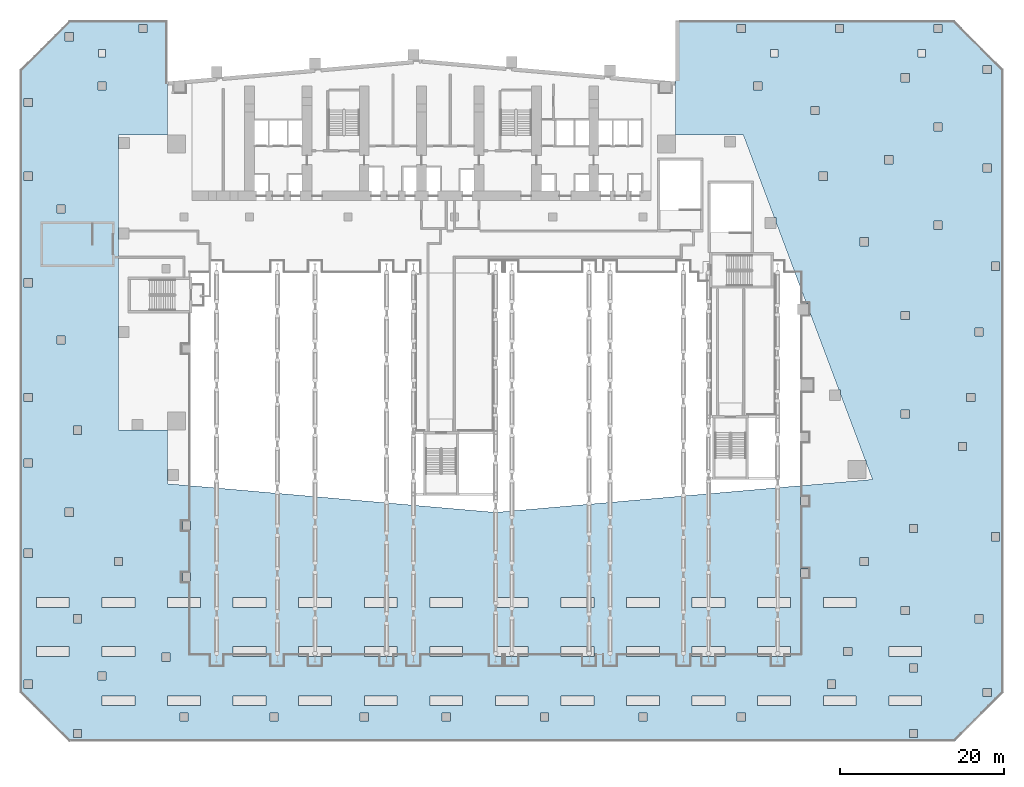
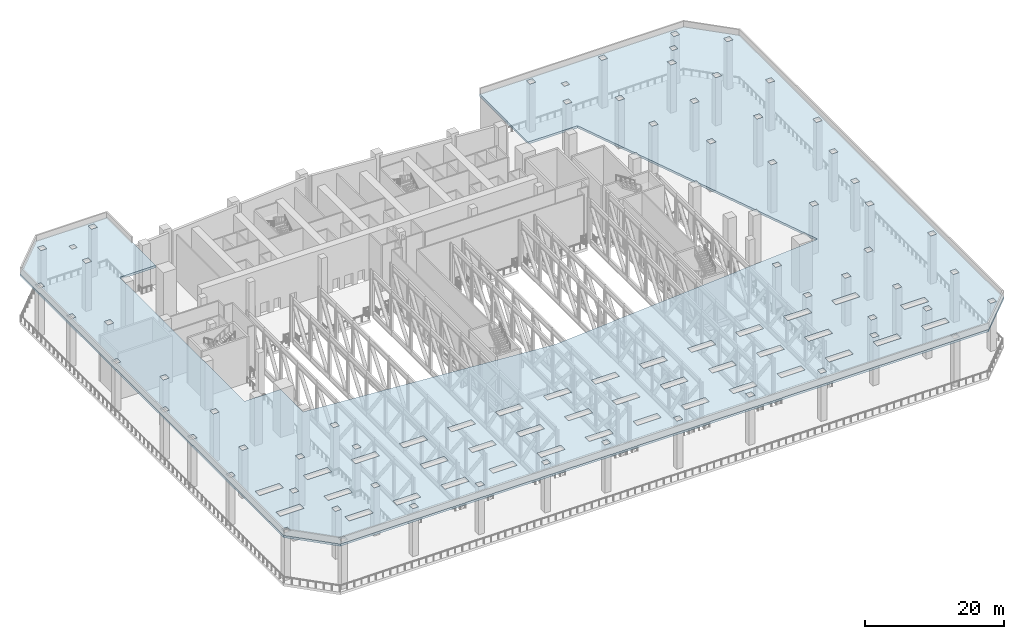
# One storey, part 8 of 33: 1 slab, 41 openings.
"""IFC4 building model written with IfcOpenShell, lengths in metres."""

from ifc_helpers import new_model, si_unit, direction, frame, origin, origin_2d, place, context, subcontext, project, spatial, polyline, rectangle, outline, extrude, material, layer, layer_set, type_object, element, save


model = new_model("IFC4")

# Units and contexts
model_context = context("Model", 3, precision=1e-05, world=origin(), true_north=direction((0.0, 1.0)))
body_context = subcontext(model_context, "Body", "Model", "MODEL_VIEW")
ifc_project = project(units=[si_unit("LENGTHUNIT", "METRE"), si_unit("AREAUNIT", "SQUARE_METRE"), si_unit("VOLUMEUNIT", "CUBIC_METRE"), si_unit("PLANEANGLEUNIT", "RADIAN"), si_unit("MASSUNIT", "GRAM", prefix="KILO")], contexts=[model_context])

# Site, building, storey
site_placement = place(None, origin())
site = spatial("IfcSite", under=ifc_project, at=site_placement, CompositionType="ELEMENT")
building_placement = place(site_placement, origin())
building = spatial("IfcBuilding", under=site, at=building_placement, Name="Wharfspan Tower", CompositionType="ELEMENT")
storey_placement = place(building_placement, frame((0.0, 0.0, 33.0)))
storey = spatial("IfcBuildingStorey", under=building, at=storey_placement, Name="L05", CompositionType="ELEMENT", Elevation=33.0)

# Slab, openings
ifc_material = material(Name="Concrete C35/45", Category="concrete")
ifc_layer = layer(ifc_material, 0.399902)
ifc_layer_set = layer_set([ifc_layer], Name="Concrete C35/45")
slab_type = type_object("IfcSlabType", Name="Arena roof deck 300", PredefinedType="ROOF", material=ifc_layer_set)
slab_placement = place(storey_placement, frame((0.0, 0.0, 8.099854)))
slab = element("IfcSlab", 1, at=slab_placement, inside=storey, type_object=slab_type, Name="Arena and podium roof deck", PredefinedType="ROOF", context=body_context, shape_type="SweptSolid", body=[
    extrude(outline(polyline([(-12.0, 50.0), (-6.0, 56.0), (6.0, 56.0), (6.0, 48.524902), (12.0, 49.049805), (12.0, 49.049805), (6.0, 48.524902), (6.0, 42.0), (0.0, 42.0), (0.0, 30.659912), (0.0, 29.340088), (0.0, 18.659912), (0.0, 17.340088), (0.0, 6.0), (6.0, 6.0), (6.0, -0.524902), (46.0, -4.024414), (92.0, 0.0), (91.196533, 2.142578), (91.196533, 2.299805), (91.137695, 2.299805), (88.104492, 10.387939), (88.104492, 10.928223), (87.901855, 10.928223), (84.166992, 20.887939), (84.166992, 21.428223), (83.964355, 21.428223), (80.229492, 31.387939), (80.229492, 31.928223), (80.026855, 31.928223), (76.25, 42.0), (68.0, 42.0), (68.0, 48.524902), (60.0, 49.224854), (60.0, 49.224854), (68.0, 48.524902), (68.0, 56.0), (102.0, 56.0), (108.0, 50.0), (108.0, -26.0), (102.0, -32.0), (-6.0, -32.0), (-12.0, -26.0), (-12.0, 50.0)]), holes=[polyline([(-5.5, -31.5), (-4.5, -31.5), (-4.5, -30.5), (-5.5, -30.5), (-5.5, -31.5)]), polyline([(7.5, -29.5), (8.5, -29.5), (8.5, -28.5), (7.5, -28.5), (7.5, -29.5)]), polyline([(-11.5, -25.5), (-10.5, -25.5), (-10.5, -24.5), (-11.5, -24.5), (-11.5, -25.5)]), polyline([(-2.5, -23.5), (-2.5, -24.5), (-1.5, -24.5), (-1.5, -23.5), (-2.5, -23.5)]), polyline([(5.300049, -21.199951), (5.300049, -22.199951), (6.300049, -22.199951), (6.300049, -21.199951), (5.300049, -21.199951)]), polyline([(-5.5, -17.5), (-4.5, -17.5), (-4.5, -16.5), (-5.5, -16.5), (-5.5, -17.5)]), polyline([(-0.5, -9.5), (-0.5, -10.5), (0.5, -10.5), (0.5, -9.5), (-0.5, -9.5)]), polyline([(-11.5, -8.5), (-11.5, -9.5), (-10.5, -9.5), (-10.5, -8.5), (-11.5, -8.5)]), polyline([(-6.5, -4.5), (-5.5, -4.5), (-5.5, -3.5), (-6.5, -3.5), (-6.5, -4.5)]), polyline([(-11.5, 2.5), (-11.5, 1.5), (-10.5, 1.5), (-10.5, 2.5), (-11.5, 2.5)]), polyline([(-5.5, 5.5), (-4.5, 5.5), (-4.5, 6.5), (-5.5, 6.5), (-5.5, 5.5)]), polyline([(-11.5, 10.5), (-11.5, 9.5), (-10.5, 9.5), (-10.5, 10.5), (-11.5, 10.5)]), polyline([(-7.5, 17.5), (-7.5, 16.5), (-6.5, 16.5), (-6.5, 17.5), (-7.5, 17.5)]), polyline([(-11.5, 24.5), (-11.5, 23.5), (-10.5, 23.5), (-10.5, 24.5), (-11.5, 24.5)]), polyline([(-7.5, 33.5), (-7.5, 32.5), (-6.5, 32.5), (-6.5, 33.5), (-7.5, 33.5)]), polyline([(-11.5, 36.5), (-10.5, 36.5), (-10.5, 37.5), (-11.5, 37.5), (-11.5, 36.5)]), polyline([(-11.5, 46.5), (-11.5, 45.5), (-10.5, 45.5), (-10.5, 46.5), (-11.5, 46.5)]), polyline([(-2.5, 47.5), (-1.5, 47.5), (-1.5, 48.5), (-2.5, 48.5), (-2.5, 47.5)]), polyline([(-6.5, 54.5), (-6.5, 53.5), (-5.5, 53.5), (-5.5, 54.5), (-6.5, 54.5)]), polyline([(2.5, 55.5), (2.5, 54.5), (3.5, 54.5), (3.5, 55.5), (2.5, 55.5)]), polyline([(18.5, -29.5), (19.5, -29.5), (19.5, -28.5), (18.5, -28.5), (18.5, -29.5)]), polyline([(75.5, -28.5), (75.5, -29.5), (76.5, -29.5), (76.5, -28.5), (75.5, -28.5)]), polyline([(29.5, -28.5), (29.5, -29.5), (30.5, -29.5), (30.5, -28.5), (29.5, -28.5)]), polyline([(63.5, -29.5), (64.5, -29.5), (64.5, -28.5), (63.5, -28.5), (63.5, -29.5)]), polyline([(39.5, -29.5), (40.5, -29.5), (40.5, -28.5), (39.5, -28.5), (39.5, -29.5)]), polyline([(51.5, -29.5), (52.5, -29.5), (52.5, -28.5), (51.5, -28.5), (51.5, -29.5)]), polyline([(7.800049, -11.419922), (7.800049, -12.419922), (8.800049, -12.419922), (8.800049, -11.419922), (7.800049, -11.419922)]), polyline([(83.199951, -10.919922), (83.199951, -11.919922), (84.199951, -11.919922), (84.199951, -10.919922), (83.199951, -10.919922)]), polyline([(7.800049, -6.139893), (8.800049, -6.139893), (8.800049, -5.139893), (7.800049, -5.139893), (7.800049, -6.139893)]), polyline([(83.199951, -2.139893), (83.199951, -3.139893), (84.199951, -3.139893), (84.199951, -2.139893), (83.199951, -2.139893)]), polyline([(77.5, 48.5), (77.5, 47.5), (78.5, 47.5), (78.5, 48.5), (77.5, 48.5)]), polyline([(75.5, 55.5), (75.5, 54.5), (76.5, 54.5), (76.5, 55.5), (75.5, 55.5)]), polyline([(96.5, -31.5), (97.5, -31.5), (97.5, -30.5), (96.5, -30.5), (96.5, -31.5)]), polyline([(105.5, -25.5), (105.5, -26.5), (106.5, -26.5), (106.5, -25.5), (105.5, -25.5)]), polyline([(86.5, -24.5), (86.5, -25.5), (87.5, -25.5), (87.5, -24.5), (86.5, -24.5)]), polyline([(96.5, -23.5), (97.5, -23.5), (97.5, -22.5), (96.5, -22.5), (96.5, -23.5)]), polyline([(88.5, -20.5), (88.5, -21.5), (89.5, -21.5), (89.5, -20.5), (88.5, -20.5)]), polyline([(104.5, -16.5), (104.5, -17.5), (105.5, -17.5), (105.5, -16.5), (104.5, -16.5)]), polyline([(95.5, -16.5), (96.5, -16.5), (96.5, -15.5), (95.5, -15.5), (95.5, -16.5)]), polyline([(90.5, -10.5), (91.5, -10.5), (91.5, -9.5), (90.5, -9.5), (90.5, -10.5)]), polyline([(106.5, -7.5), (107.5, -7.5), (107.5, -6.5), (106.5, -6.5), (106.5, -7.5)]), polyline([(96.5, -5.5), (96.5, -6.5), (97.5, -6.5), (97.5, -5.5), (96.5, -5.5)]), polyline([(102.5, 3.5), (103.5, 3.5), (103.5, 4.5), (102.5, 4.5), (102.5, 3.5)]), polyline([(95.5, 8.5), (95.5, 7.5), (96.5, 7.5), (96.5, 8.5), (95.5, 8.5)]), polyline([(103.5, 10.5), (103.5, 9.5), (104.5, 9.5), (104.5, 10.5), (103.5, 10.5)]), polyline([(104.5, 18.5), (104.5, 17.5), (105.5, 17.5), (105.5, 18.5), (104.5, 18.5)]), polyline([(95.5, 20.5), (95.5, 19.5), (96.5, 19.5), (96.5, 20.5), (95.5, 20.5)]), polyline([(106.5, 25.5), (107.5, 25.5), (107.5, 26.5), (106.5, 26.5), (106.5, 25.5)]), polyline([(90.5, 29.5), (90.5, 28.5), (91.5, 28.5), (91.5, 29.5), (90.5, 29.5)]), polyline([(99.5, 31.5), (99.5, 30.5), (100.5, 30.5), (100.5, 31.5), (99.5, 31.5)]), polyline([(85.5, 36.5), (86.5, 36.5), (86.5, 37.5), (85.5, 37.5), (85.5, 36.5)]), polyline([(105.5, 38.5), (105.5, 37.5), (106.5, 37.5), (106.5, 38.5), (105.5, 38.5)]), polyline([(93.5, 39.5), (93.5, 38.5), (94.5, 38.5), (94.5, 39.5), (93.5, 39.5)]), polyline([(99.5, 42.5), (100.5, 42.5), (100.5, 43.5), (99.5, 43.5), (99.5, 42.5)]), polyline([(84.5, 45.5), (84.5, 44.5), (85.5, 44.5), (85.5, 45.5), (84.5, 45.5)]), polyline([(95.5, 49.5), (95.5, 48.5), (96.5, 48.5), (96.5, 49.5), (95.5, 49.5)]), polyline([(105.5, 49.5), (106.5, 49.5), (106.5, 50.5), (105.5, 50.5), (105.5, 49.5)]), polyline([(99.5, 55.5), (99.5, 54.5), (100.5, 54.5), (100.5, 55.5), (99.5, 55.5)]), polyline([(87.5, 55.5), (87.5, 54.5), (88.5, 54.5), (88.5, 55.5), (87.5, 55.5)])]), origin(), (0.0, 0.0, 1.0), 0.400146),
])
opening_1_placement = place(slab_placement, frame((0.0, -27.0, 0.0)))
element("IfcOpeningElement", 2, at=opening_1_placement, cuts=slab, Name="Opening SK1", PredefinedType="OPENING", context=body_context, shape_type="SweptSolid", body=[
    extrude(rectangle(XDim=4.0, YDim=1.199951, at=origin_2d()), frame((0.0, 0.0, -0.01001)), (0.0, 0.0, 1.0), 0.419922),
])
opening_2_placement = place(slab_placement, frame((8.0, -27.0, 0.0)))
element("IfcOpeningElement", 3, at=opening_2_placement, cuts=slab, Name="Opening SK1", PredefinedType="OPENING", context=body_context, shape_type="SweptSolid", body=[
    extrude(rectangle(XDim=4.0, YDim=1.199951, at=origin_2d()), frame((0.0, 0.0, -0.01001)), (0.0, 0.0, 1.0), 0.419922),
])
opening_3_placement = place(slab_placement, frame((16.0, -27.0, 0.0)))
element("IfcOpeningElement", 4, at=opening_3_placement, cuts=slab, Name="Opening SK1", PredefinedType="OPENING", context=body_context, shape_type="SweptSolid", body=[
    extrude(rectangle(XDim=4.0, YDim=1.199951, at=origin_2d()), frame((0.0, 0.0, -0.01001)), (0.0, 0.0, 1.0), 0.419922),
])
opening_4_placement = place(slab_placement, frame((24.0, -27.0, 0.0)))
element("IfcOpeningElement", 5, at=opening_4_placement, cuts=slab, Name="Opening SK1", PredefinedType="OPENING", context=body_context, shape_type="SweptSolid", body=[
    extrude(rectangle(XDim=4.0, YDim=1.199951, at=origin_2d()), frame((0.0, 0.0, -0.01001)), (0.0, 0.0, 1.0), 0.419922),
])
opening_5_placement = place(slab_placement, frame((32.0, -27.0, 0.0)))
element("IfcOpeningElement", 6, at=opening_5_placement, cuts=slab, Name="Opening SK1", PredefinedType="OPENING", context=body_context, shape_type="SweptSolid", body=[
    extrude(rectangle(XDim=4.0, YDim=1.199951, at=origin_2d()), frame((0.0, 0.0, -0.01001)), (0.0, 0.0, 1.0), 0.419922),
])
opening_6_placement = place(slab_placement, frame((40.0, -27.0, 0.0)))
element("IfcOpeningElement", 7, at=opening_6_placement, cuts=slab, Name="Opening SK1", PredefinedType="OPENING", context=body_context, shape_type="SweptSolid", body=[
    extrude(rectangle(XDim=4.0, YDim=1.199951, at=origin_2d()), frame((0.0, 0.0, -0.01001)), (0.0, 0.0, 1.0), 0.419922),
])
opening_7_placement = place(slab_placement, frame((48.0, -27.0, 0.0)))
element("IfcOpeningElement", 8, at=opening_7_placement, cuts=slab, Name="Opening SK1", PredefinedType="OPENING", context=body_context, shape_type="SweptSolid", body=[
    extrude(rectangle(XDim=4.0, YDim=1.199951, at=origin_2d()), frame((0.0, 0.0, -0.01001)), (0.0, 0.0, 1.0), 0.419922),
])
opening_8_placement = place(slab_placement, frame((56.0, -27.0, 0.0)))
element("IfcOpeningElement", 9, at=opening_8_placement, cuts=slab, Name="Opening SK1", PredefinedType="OPENING", context=body_context, shape_type="SweptSolid", body=[
    extrude(rectangle(XDim=4.0, YDim=1.199951, at=origin_2d()), frame((0.0, 0.0, -0.01001)), (0.0, 0.0, 1.0), 0.419922),
])
opening_9_placement = place(slab_placement, frame((64.0, -27.0, 0.0)))
element("IfcOpeningElement", 10, at=opening_9_placement, cuts=slab, Name="Opening SK1", PredefinedType="OPENING", context=body_context, shape_type="SweptSolid", body=[
    extrude(rectangle(XDim=4.0, YDim=1.199951, at=origin_2d()), frame((0.0, 0.0, -0.01001)), (0.0, 0.0, 1.0), 0.419922),
])
opening_10_placement = place(slab_placement, frame((72.0, -27.0, 0.0)))
element("IfcOpeningElement", 11, at=opening_10_placement, cuts=slab, Name="Opening SK1", PredefinedType="OPENING", context=body_context, shape_type="SweptSolid", body=[
    extrude(rectangle(XDim=4.0, YDim=1.199951, at=origin_2d()), frame((0.0, 0.0, -0.01001)), (0.0, 0.0, 1.0), 0.419922),
])
opening_11_placement = place(slab_placement, frame((80.0, -27.0, 0.0)))
element("IfcOpeningElement", 12, at=opening_11_placement, cuts=slab, Name="Opening SK1", PredefinedType="OPENING", context=body_context, shape_type="SweptSolid", body=[
    extrude(rectangle(XDim=4.0, YDim=1.199951, at=origin_2d()), frame((0.0, 0.0, -0.01001)), (0.0, 0.0, 1.0), 0.419922),
])
opening_12_placement = place(slab_placement, frame((88.0, -27.0, 0.0)))
element("IfcOpeningElement", 13, at=opening_12_placement, cuts=slab, Name="Opening SK1", PredefinedType="OPENING", context=body_context, shape_type="SweptSolid", body=[
    extrude(rectangle(XDim=4.0, YDim=1.199951, at=origin_2d()), frame((0.0, 0.0, -0.01001)), (0.0, 0.0, 1.0), 0.419922),
])
opening_13_placement = place(slab_placement, frame((96.0, -27.0, 0.0)))
element("IfcOpeningElement", 14, at=opening_13_placement, cuts=slab, Name="Opening SK1", PredefinedType="OPENING", context=body_context, shape_type="SweptSolid", body=[
    extrude(rectangle(XDim=4.0, YDim=1.199951, at=origin_2d()), frame((0.0, 0.0, -0.01001)), (0.0, 0.0, 1.0), 0.419922),
])
opening_14_placement = place(slab_placement, frame((-8.0, -21.0, 0.0)))
element("IfcOpeningElement", 15, at=opening_14_placement, cuts=slab, Name="Opening SK1", PredefinedType="OPENING", context=body_context, shape_type="SweptSolid", body=[
    extrude(rectangle(XDim=4.0, YDim=1.199951, at=origin_2d()), frame((0.0, 0.0, -0.01001)), (0.0, 0.0, 1.0), 0.419922),
])
opening_15_placement = place(slab_placement, frame((0.0, -21.0, 0.0)))
element("IfcOpeningElement", 16, at=opening_15_placement, cuts=slab, Name="Opening SK1", PredefinedType="OPENING", context=body_context, shape_type="SweptSolid", body=[
    extrude(rectangle(XDim=4.0, YDim=1.199951, at=origin_2d()), frame((0.0, 0.0, -0.01001)), (0.0, 0.0, 1.0), 0.419922),
])
opening_16_placement = place(slab_placement, frame((16.0, -21.0, 0.0)))
element("IfcOpeningElement", 17, at=opening_16_placement, cuts=slab, Name="Opening SK1", PredefinedType="OPENING", context=body_context, shape_type="SweptSolid", body=[
    extrude(rectangle(XDim=4.0, YDim=1.199951, at=origin_2d()), frame((0.0, 0.0, -0.01001)), (0.0, 0.0, 1.0), 0.419922),
])
opening_17_placement = place(slab_placement, frame((24.0, -21.0, 0.0)))
element("IfcOpeningElement", 18, at=opening_17_placement, cuts=slab, Name="Opening SK1", PredefinedType="OPENING", context=body_context, shape_type="SweptSolid", body=[
    extrude(rectangle(XDim=4.0, YDim=1.199951, at=origin_2d()), frame((0.0, 0.0, -0.01001)), (0.0, 0.0, 1.0), 0.419922),
])
opening_18_placement = place(slab_placement, frame((32.0, -21.0, 0.0)))
element("IfcOpeningElement", 19, at=opening_18_placement, cuts=slab, Name="Opening SK1", PredefinedType="OPENING", context=body_context, shape_type="SweptSolid", body=[
    extrude(rectangle(XDim=4.0, YDim=1.199951, at=origin_2d()), frame((0.0, 0.0, -0.01001)), (0.0, 0.0, 1.0), 0.419922),
])
opening_19_placement = place(slab_placement, frame((40.0, -21.0, 0.0)))
element("IfcOpeningElement", 20, at=opening_19_placement, cuts=slab, Name="Opening SK1", PredefinedType="OPENING", context=body_context, shape_type="SweptSolid", body=[
    extrude(rectangle(XDim=4.0, YDim=1.199951, at=origin_2d()), frame((0.0, 0.0, -0.01001)), (0.0, 0.0, 1.0), 0.419922),
])
opening_20_placement = place(slab_placement, frame((48.0, -21.0, 0.0)))
element("IfcOpeningElement", 21, at=opening_20_placement, cuts=slab, Name="Opening SK1", PredefinedType="OPENING", context=body_context, shape_type="SweptSolid", body=[
    extrude(rectangle(XDim=4.0, YDim=1.199951, at=origin_2d()), frame((0.0, 0.0, -0.01001)), (0.0, 0.0, 1.0), 0.419922),
])
opening_21_placement = place(slab_placement, frame((56.0, -21.0, 0.0)))
element("IfcOpeningElement", 22, at=opening_21_placement, cuts=slab, Name="Opening SK1", PredefinedType="OPENING", context=body_context, shape_type="SweptSolid", body=[
    extrude(rectangle(XDim=4.0, YDim=1.199951, at=origin_2d()), frame((0.0, 0.0, -0.01001)), (0.0, 0.0, 1.0), 0.419922),
])
opening_22_placement = place(slab_placement, frame((64.0, -21.0, 0.0)))
element("IfcOpeningElement", 23, at=opening_22_placement, cuts=slab, Name="Opening SK1", PredefinedType="OPENING", context=body_context, shape_type="SweptSolid", body=[
    extrude(rectangle(XDim=4.0, YDim=1.199951, at=origin_2d()), frame((0.0, 0.0, -0.01001)), (0.0, 0.0, 1.0), 0.419922),
])
opening_23_placement = place(slab_placement, frame((72.0, -21.0, 0.0)))
element("IfcOpeningElement", 24, at=opening_23_placement, cuts=slab, Name="Opening SK1", PredefinedType="OPENING", context=body_context, shape_type="SweptSolid", body=[
    extrude(rectangle(XDim=4.0, YDim=1.199951, at=origin_2d()), frame((0.0, 0.0, -0.01001)), (0.0, 0.0, 1.0), 0.419922),
])
opening_24_placement = place(slab_placement, frame((80.0, -21.0, 0.0)))
element("IfcOpeningElement", 25, at=opening_24_placement, cuts=slab, Name="Opening SK1", PredefinedType="OPENING", context=body_context, shape_type="SweptSolid", body=[
    extrude(rectangle(XDim=4.0, YDim=1.199951, at=origin_2d()), frame((0.0, 0.0, -0.01001)), (0.0, 0.0, 1.0), 0.419922),
])
opening_25_placement = place(slab_placement, frame((96.0, -21.0, 0.0)))
element("IfcOpeningElement", 26, at=opening_25_placement, cuts=slab, Name="Opening SK1", PredefinedType="OPENING", context=body_context, shape_type="SweptSolid", body=[
    extrude(rectangle(XDim=4.0, YDim=1.199951, at=origin_2d()), frame((0.0, 0.0, -0.01001)), (0.0, 0.0, 1.0), 0.419922),
])
opening_26_placement = place(slab_placement, frame((-8.0, -15.0, 0.0)))
element("IfcOpeningElement", 27, at=opening_26_placement, cuts=slab, Name="Opening SK1", PredefinedType="OPENING", context=body_context, shape_type="SweptSolid", body=[
    extrude(rectangle(XDim=4.0, YDim=1.199951, at=origin_2d()), frame((0.0, 0.0, -0.01001)), (0.0, 0.0, 1.0), 0.419922),
])
opening_27_placement = place(slab_placement, frame((0.0, -15.0, 0.0)))
element("IfcOpeningElement", 28, at=opening_27_placement, cuts=slab, Name="Opening SK1", PredefinedType="OPENING", context=body_context, shape_type="SweptSolid", body=[
    extrude(rectangle(XDim=4.0, YDim=1.199951, at=origin_2d()), frame((0.0, 0.0, -0.01001)), (0.0, 0.0, 1.0), 0.419922),
])
opening_28_placement = place(slab_placement, frame((8.0, -15.0, 0.0)))
element("IfcOpeningElement", 29, at=opening_28_placement, cuts=slab, Name="Opening SK1", PredefinedType="OPENING", context=body_context, shape_type="SweptSolid", body=[
    extrude(rectangle(XDim=4.0, YDim=1.199951, at=origin_2d()), frame((0.0, 0.0, -0.01001)), (0.0, 0.0, 1.0), 0.419922),
])
opening_29_placement = place(slab_placement, frame((16.0, -15.0, 0.0)))
element("IfcOpeningElement", 30, at=opening_29_placement, cuts=slab, Name="Opening SK1", PredefinedType="OPENING", context=body_context, shape_type="SweptSolid", body=[
    extrude(rectangle(XDim=4.0, YDim=1.199951, at=origin_2d()), frame((0.0, 0.0, -0.01001)), (0.0, 0.0, 1.0), 0.419922),
])
opening_30_placement = place(slab_placement, frame((24.0, -15.0, 0.0)))
element("IfcOpeningElement", 31, at=opening_30_placement, cuts=slab, Name="Opening SK1", PredefinedType="OPENING", context=body_context, shape_type="SweptSolid", body=[
    extrude(rectangle(XDim=4.0, YDim=1.199951, at=origin_2d()), frame((0.0, 0.0, -0.01001)), (0.0, 0.0, 1.0), 0.419922),
])
opening_31_placement = place(slab_placement, frame((32.0, -15.0, 0.0)))
element("IfcOpeningElement", 32, at=opening_31_placement, cuts=slab, Name="Opening SK1", PredefinedType="OPENING", context=body_context, shape_type="SweptSolid", body=[
    extrude(rectangle(XDim=4.0, YDim=1.199951, at=origin_2d()), frame((0.0, 0.0, -0.01001)), (0.0, 0.0, 1.0), 0.419922),
])
opening_32_placement = place(slab_placement, frame((40.0, -15.0, 0.0)))
element("IfcOpeningElement", 33, at=opening_32_placement, cuts=slab, Name="Opening SK1", PredefinedType="OPENING", context=body_context, shape_type="SweptSolid", body=[
    extrude(rectangle(XDim=4.0, YDim=1.199951, at=origin_2d()), frame((0.0, 0.0, -0.01001)), (0.0, 0.0, 1.0), 0.419922),
])
opening_33_placement = place(slab_placement, frame((48.0, -15.0, 0.0)))
element("IfcOpeningElement", 34, at=opening_33_placement, cuts=slab, Name="Opening SK1", PredefinedType="OPENING", context=body_context, shape_type="SweptSolid", body=[
    extrude(rectangle(XDim=4.0, YDim=1.199951, at=origin_2d()), frame((0.0, 0.0, -0.01001)), (0.0, 0.0, 1.0), 0.419922),
])
opening_34_placement = place(slab_placement, frame((56.0, -15.0, 0.0)))
element("IfcOpeningElement", 35, at=opening_34_placement, cuts=slab, Name="Opening SK1", PredefinedType="OPENING", context=body_context, shape_type="SweptSolid", body=[
    extrude(rectangle(XDim=4.0, YDim=1.199951, at=origin_2d()), frame((0.0, 0.0, -0.01001)), (0.0, 0.0, 1.0), 0.419922),
])
opening_35_placement = place(slab_placement, frame((64.0, -15.0, 0.0)))
element("IfcOpeningElement", 36, at=opening_35_placement, cuts=slab, Name="Opening SK1", PredefinedType="OPENING", context=body_context, shape_type="SweptSolid", body=[
    extrude(rectangle(XDim=4.0, YDim=1.199951, at=origin_2d()), frame((0.0, 0.0, -0.01001)), (0.0, 0.0, 1.0), 0.419922),
])
opening_36_placement = place(slab_placement, frame((72.0, -15.0, 0.0)))
element("IfcOpeningElement", 37, at=opening_36_placement, cuts=slab, Name="Opening SK1", PredefinedType="OPENING", context=body_context, shape_type="SweptSolid", body=[
    extrude(rectangle(XDim=4.0, YDim=1.199951, at=origin_2d()), frame((0.0, 0.0, -0.01001)), (0.0, 0.0, 1.0), 0.419922),
])
opening_37_placement = place(slab_placement, frame((80.0, -15.0, 0.0)))
element("IfcOpeningElement", 38, at=opening_37_placement, cuts=slab, Name="Opening SK1", PredefinedType="OPENING", context=body_context, shape_type="SweptSolid", body=[
    extrude(rectangle(XDim=4.0, YDim=1.199951, at=origin_2d()), frame((0.0, 0.0, -0.01001)), (0.0, 0.0, 1.0), 0.419922),
])
opening_38_placement = place(slab_placement, frame((88.0, -15.0, 0.0)))
element("IfcOpeningElement", 39, at=opening_38_placement, cuts=slab, Name="Opening SK1", PredefinedType="OPENING", context=body_context, shape_type="SweptSolid", body=[
    extrude(rectangle(XDim=4.0, YDim=1.199951, at=origin_2d()), frame((0.0, 0.0, -0.01001)), (0.0, 0.0, 1.0), 0.419922),
])
opening_39_placement = place(slab_placement, frame((-2.0, 52.0, 0.0)))
element("IfcOpeningElement", 40, at=opening_39_placement, cuts=slab, Name="Opening RH1", PredefinedType="OPENING", context=body_context, shape_type="SweptSolid", body=[
    extrude(rectangle(XDim=0.899902, YDim=0.899902, at=origin_2d()), frame((0.0, 0.0, -0.01001)), (0.0, 0.0, 1.0), 0.419922),
])
opening_40_placement = place(slab_placement, frame((98.0, 52.0, 0.0)))
element("IfcOpeningElement", 41, at=opening_40_placement, cuts=slab, Name="Opening RH1", PredefinedType="OPENING", context=body_context, shape_type="SweptSolid", body=[
    extrude(rectangle(XDim=0.899902, YDim=0.899902, at=origin_2d()), frame((0.0, 0.0, -0.01001)), (0.0, 0.0, 1.0), 0.419922),
])
opening_41_placement = place(slab_placement, frame((80.0, 52.0, 0.0)))
element("IfcOpeningElement", 42, at=opening_41_placement, cuts=slab, Name="Opening RH1", PredefinedType="OPENING", context=body_context, shape_type="SweptSolid", body=[
    extrude(rectangle(XDim=0.899902, YDim=0.899902, at=origin_2d()), frame((0.0, 0.0, -0.01001)), (0.0, 0.0, 1.0), 0.419922),
])

save(model, "model.ifc")
